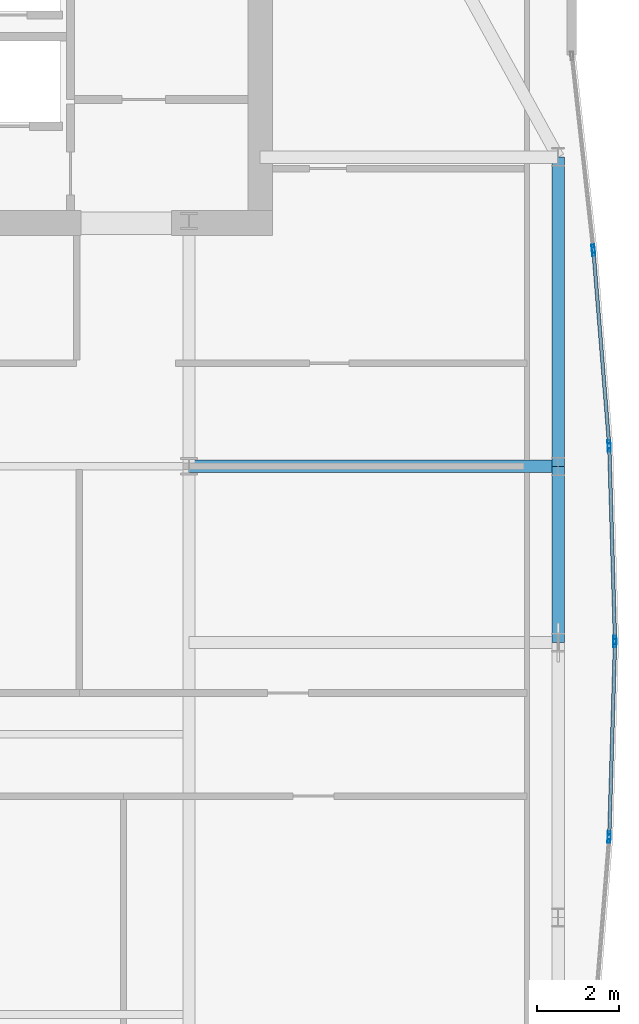
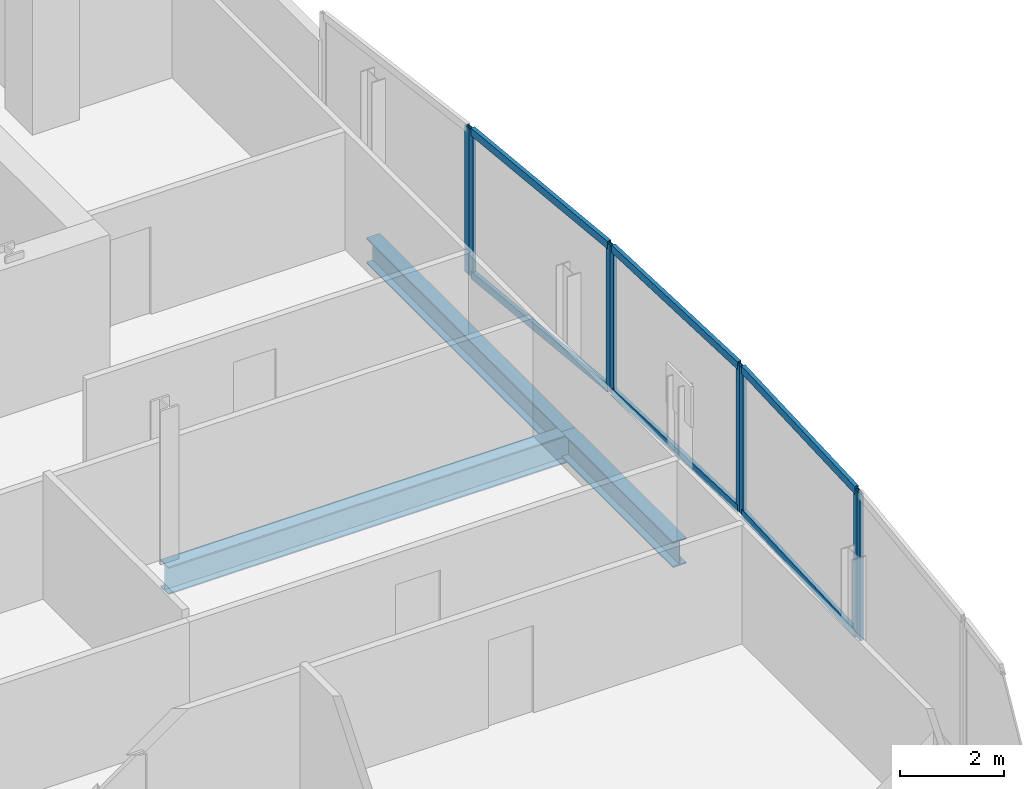
# One storey, part 18 of 29: 14 members, 3 beams, 5 elements without a shape of their own.
"""IFC4 building model written with IfcOpenShell, lengths in metres."""

from ifc_helpers import new_model, si_unit, direction, frame, origin, origin_2d, place, context, subcontext, project, spatial, hollow_rectangle, i_section, extrude, material, material_profile, profile_set, type_object, element, aggregate, save


model = new_model("IFC4")

# Units and contexts
model_context = context("Model", 3, precision=1e-05, world=origin(), true_north=direction((0.0, 1.0)))
body_context = subcontext(model_context, "Body", "Model", "MODEL_VIEW")
ifc_project = project(units=[si_unit("LENGTHUNIT", "METRE"), si_unit("AREAUNIT", "SQUARE_METRE"), si_unit("VOLUMEUNIT", "CUBIC_METRE"), si_unit("PLANEANGLEUNIT", "RADIAN"), si_unit("MASSUNIT", "GRAM", prefix="KILO")], contexts=[model_context])

# Site, building, storey
site_placement = place(None, origin())
site = spatial("IfcSite", under=ifc_project, at=site_placement, CompositionType="ELEMENT")
building_placement = place(site_placement, origin())
building = spatial("IfcBuilding", under=site, at=building_placement, Name="Khoronbel Lancet Exchange", CompositionType="ELEMENT")
storey_placement = place(building_placement, frame((0.0, 0.0, 246.199951171875)))
storey = spatial("IfcBuildingStorey", under=building, at=storey_placement, Name="L63", CompositionType="ELEMENT", Elevation=246.199951171875)

# Beams
ifc_material_1 = material(Name="Steel S355", Category="steel")
ifc_material_profile_1 = material_profile(ifc_material_1, i_section(OverallWidth=0.300048828125, OverallDepth=0.64990234375, WebThickness=0.01611328125, FlangeThickness=0.031005859375, at=origin_2d()), Name="HEB 650")
ifc_profile_set_1 = profile_set([ifc_material_profile_1], Name="Steel S355")
beam_type_1 = type_object("IfcBeamType", Name="BM-BG4", PredefinedType="BEAM", material=ifc_profile_set_1)
beam_1_placement = place(storey_placement, frame((54.675048828125, 35.699951171875, -0.48486328125), z_axis=(1.0, 0.0, 0.0), x_axis=(0.0, 1.0, 0.0)))
element("IfcBeam", 1, at=beam_1_placement, inside=storey, type_object=beam_type_1, Name="Level L63 east lens tie girder LG4E", PredefinedType="BEAM", context=body_context, shape_type="SweptSolid", body=[
    extrude(i_section(OverallWidth=0.300048828125, OverallDepth=0.64990234375, WebThickness=0.01611328125, FlangeThickness=0.031005859375, at=origin_2d()), origin(), (0.0, 0.0, 1.0), 8.954833984375),
])
ifc_material_profile_2 = material_profile(ifc_material_1, i_section(OverallWidth=0.300048828125, OverallDepth=0.60009765625, WebThickness=0.015380859375, FlangeThickness=0.030029296875, at=origin_2d()), Name="HEB 600")
ifc_profile_set_2 = profile_set([ifc_material_profile_2], Name="Steel S355")
beam_type_2 = type_object("IfcBeamType", Name="BM-BSP2", PredefinedType="SPANDREL", material=ifc_profile_set_2)
beam_2_placement = place(storey_placement, frame((63.6298828125, 31.425048828125, -0.4599609375), z_axis=(0.0, 1.0, 0.0), x_axis=(-1.0, 0.0, 0.0)))
element("IfcBeam", 2, at=beam_2_placement, inside=storey, type_object=beam_type_2, Name="Level L63 perimeter spandrel beam SP13", PredefinedType="SPANDREL", context=body_context, shape_type="SweptSolid", body=[
    extrude(i_section(OverallWidth=0.300048828125, OverallDepth=0.60009765625, WebThickness=0.015380859375, FlangeThickness=0.030029296875, at=origin_2d()), origin(), (0.0, 0.0, 1.0), 4.27490234375),
])
beam_3_placement = place(storey_placement, frame((63.6298828125, 35.699951171875, -0.4599609375), z_axis=(0.0, 1.0, 0.0), x_axis=(-1.0, 0.0, 0.0)))
element("IfcBeam", 3, at=beam_3_placement, inside=storey, type_object=beam_type_2, Name="Level L63 perimeter spandrel beam SP14", PredefinedType="SPANDREL", context=body_context, shape_type="SweptSolid", body=[
    extrude(i_section(OverallWidth=0.300048828125, OverallDepth=0.60009765625, WebThickness=0.015380859375, FlangeThickness=0.030029296875, at=origin_2d()), origin(), (0.0, 0.0, 1.0), 7.5),
])

# Curtain wall, member
ifc_material_2 = material(Name="Low-E Solar Control Insulating Glass", Category="glass")
curtain_wall_type = type_object("IfcCurtainWallType", Name="CW-4", PredefinedType="NOTDEFINED", material=ifc_material_2)
curtain_wall_1_placement = place(storey_placement, origin())
curtain_wall_1 = element("IfcCurtainWall", 4, at=curtain_wall_1_placement, inside=storey, type_object=curtain_wall_type, Name="Unitised curtain wall CW-L63-E17", PredefinedType="NOTDEFINED")
ifc_material_3 = material(Name="Bronze-Anodised Aluminium 6063-T6", Category="aluminium")
ifc_material_profile_3 = material_profile(ifc_material_3, hollow_rectangle(XDim=0.074951171875, YDim=0.199951171875, WallThickness=0.0048828125, at=origin_2d()), Name="ALU MULLION 75x200")
ifc_profile_set_3 = profile_set([ifc_material_profile_3], Name="Bronze-Anodised Aluminium 6063-T6")
member_type_1 = type_object("IfcMemberType", Name="MEM-CWM2", PredefinedType="MULLION", material=ifc_profile_set_3)
member_1_placement = place(storey_placement, frame((64.481201171875, 40.978759765625, 0.0), z_axis=(0.0, 0.0, 1.0), x_axis=(0.993947317123, 0.109857775256, 0.0)))
member_1 = element("IfcMember", 5, at=member_1_placement, type_object=member_type_1, Name="CW4 mullion 2", PredefinedType="MULLION", context=body_context, shape_type="SweptSolid", body=[
    extrude(hollow_rectangle(XDim=0.074951171875, YDim=0.199951171875, WallThickness=0.0048828125, at=origin_2d()), origin(), (0.0, 0.0, 1.0), 3.43994140625),
])
aggregate(curtain_wall_1, [member_1])

# Curtain wall, members
curtain_wall_2_placement = place(storey_placement, origin())
curtain_wall_2 = element("IfcCurtainWall", 6, at=curtain_wall_2_placement, inside=storey, type_object=curtain_wall_type, Name="Unitised curtain wall CW-L63-E18", PredefinedType="NOTDEFINED")
member_2_placement = place(storey_placement, frame((64.488525390625, 40.904052734375, 0.0), z_axis=(0.0, 0.0, 1.0), x_axis=(0.996743296731, 0.080639943095, 0.0)))
member_2 = element("IfcMember", 7, at=member_2_placement, type_object=member_type_1, Name="CW4 mullion 1", PredefinedType="MULLION", context=body_context, shape_type="SweptSolid", body=[
    extrude(hollow_rectangle(XDim=0.074951171875, YDim=0.199951171875, WallThickness=0.0048828125, at=origin_2d()), origin(), (0.0, 0.0, 1.0), 3.43994140625),
])
member_3_placement = place(storey_placement, frame((64.866455078125, 36.232421875, 0.0), z_axis=(0.0, 0.0, 1.0), x_axis=(0.996743296731, 0.080639943095, 0.0)))
member_3 = element("IfcMember", 8, at=member_3_placement, type_object=member_type_1, Name="CW4 mullion 2", PredefinedType="MULLION", context=body_context, shape_type="SweptSolid", body=[
    extrude(hollow_rectangle(XDim=0.074951171875, YDim=0.199951171875, WallThickness=0.0048828125, at=origin_2d()), origin(), (0.0, 0.0, 1.0), 3.43994140625),
])

curtain_wall_3_placement = place(storey_placement, origin())
curtain_wall_3 = element("IfcCurtainWall", 9, at=curtain_wall_3_placement, inside=storey, type_object=curtain_wall_type, Name="Unitised curtain wall CW-L63-E19", PredefinedType="NOTDEFINED")
member_4_placement = place(storey_placement, frame((64.87060546875, 36.157470703125, 0.0), z_axis=(0.0, 0.0, 1.0), x_axis=(0.999561285143, 0.029618191076, 0.0)))
member_4 = element("IfcMember", 10, at=member_4_placement, type_object=member_type_1, Name="CW4 mullion 1", PredefinedType="MULLION", context=body_context, shape_type="SweptSolid", body=[
    extrude(hollow_rectangle(XDim=0.074951171875, YDim=0.199951171875, WallThickness=0.0048828125, at=origin_2d()), origin(), (0.0, 0.0, 1.0), 3.43994140625),
])
member_5_placement = place(storey_placement, frame((65.0087890625, 31.487548828125, 0.0), z_axis=(0.0, 0.0, 1.0), x_axis=(0.999561285143, 0.029618191076, 0.0)))
member_5 = element("IfcMember", 11, at=member_5_placement, type_object=member_type_1, Name="CW4 mullion 2", PredefinedType="MULLION", context=body_context, shape_type="SweptSolid", body=[
    extrude(hollow_rectangle(XDim=0.074951171875, YDim=0.199951171875, WallThickness=0.0048828125, at=origin_2d()), origin(), (0.0, 0.0, 1.0), 3.43994140625),
])

curtain_wall_4_placement = place(storey_placement, origin())
curtain_wall_4 = element("IfcCurtainWall", 12, at=curtain_wall_4_placement, inside=storey, type_object=curtain_wall_type, Name="Unitised curtain wall CW-L63-E20", PredefinedType="NOTDEFINED")
member_6_placement = place(storey_placement, frame((65.0087890625, 31.41259765625, 0.0), z_axis=(0.0, 0.0, 1.0), x_axis=(0.999561285143, -0.029618191076, 0.0)))
member_6 = element("IfcMember", 13, at=member_6_placement, type_object=member_type_1, Name="CW4 mullion 1", PredefinedType="MULLION", context=body_context, shape_type="SweptSolid", body=[
    extrude(hollow_rectangle(XDim=0.074951171875, YDim=0.199951171875, WallThickness=0.0048828125, at=origin_2d()), origin(), (0.0, 0.0, 1.0), 3.43994140625),
])
member_7_placement = place(storey_placement, frame((64.87060546875, 26.742431640625, 0.0), z_axis=(0.0, 0.0, 1.0), x_axis=(0.999561285143, -0.029618191076, 0.0)))
member_7 = element("IfcMember", 14, at=member_7_placement, type_object=member_type_1, Name="CW4 mullion 2", PredefinedType="MULLION", context=body_context, shape_type="SweptSolid", body=[
    extrude(hollow_rectangle(XDim=0.074951171875, YDim=0.199951171875, WallThickness=0.0048828125, at=origin_2d()), origin(), (0.0, 0.0, 1.0), 3.43994140625),
])

# Curtain wall, member
curtain_wall_5_placement = place(storey_placement, origin())
curtain_wall_5 = element("IfcCurtainWall", 15, at=curtain_wall_5_placement, inside=storey, type_object=curtain_wall_type, Name="Unitised curtain wall CW-L63-E21", PredefinedType="NOTDEFINED")
member_8_placement = place(storey_placement, frame((64.866455078125, 26.667724609375, 0.0), z_axis=(0.0, 0.0, 1.0), x_axis=(0.996743296731, -0.080639943095, 0.0)))
member_8 = element("IfcMember", 16, at=member_8_placement, type_object=member_type_1, Name="CW4 mullion 1", PredefinedType="MULLION", context=body_context, shape_type="SweptSolid", body=[
    extrude(hollow_rectangle(XDim=0.074951171875, YDim=0.199951171875, WallThickness=0.0048828125, at=origin_2d()), origin(), (0.0, 0.0, 1.0), 3.43994140625),
])
aggregate(curtain_wall_5, [member_8])

# Member
ifc_material_profile_4 = material_profile(ifc_material_3, hollow_rectangle(XDim=0.0849609375, YDim=0.179931640625, WallThickness=0.0048828125, at=origin_2d()), Name="ALU TRANSOM 85x180")
ifc_profile_set_4 = profile_set([ifc_material_profile_4], Name="Bronze-Anodised Aluminium 6063-T6")
member_type_2 = type_object("IfcMemberType", Name="MEM-CWT1", PredefinedType="USERDEFINED", material=ifc_profile_set_4)
member_9_placement = place(storey_placement, frame((64.491455078125, 40.86669921875, 0.04248046875), z_axis=(0.080622560017, -0.996744702929, 0.0), x_axis=(0.996744702929, 0.080622560017, 0.0)))
member_9 = element("IfcMember", 17, at=member_9_placement, type_object=member_type_2, Name="CW4 transom 1.1", ObjectType="TRANSOM", PredefinedType="USERDEFINED", context=body_context, shape_type="SweptSolid", body=[
    extrude(hollow_rectangle(XDim=0.0849609375, YDim=0.179931640625, WallThickness=0.0048828125, at=origin_2d()), origin(), (0.0, 0.0, 1.0), 4.61181640625),
])

member_10_placement = place(storey_placement, frame((64.491455078125, 40.86669921875, 3.3974609375), z_axis=(0.080622560017, -0.996744702929, 0.0), x_axis=(0.996744702929, 0.080622560017, 0.0)))
member_10 = element("IfcMember", 18, at=member_10_placement, type_object=member_type_2, Name="CW4 transom 1.2", ObjectType="TRANSOM", PredefinedType="USERDEFINED", context=body_context, shape_type="SweptSolid", body=[
    extrude(hollow_rectangle(XDim=0.0849609375, YDim=0.179931640625, WallThickness=0.0048828125, at=origin_2d()), origin(), (0.0, 0.0, 1.0), 4.61181640625),
])

aggregate(curtain_wall_2, [member_2, member_3, member_9, member_10])

member_11_placement = place(storey_placement, frame((64.87158203125, 36.1201171875, 0.04248046875), z_axis=(0.029633139405, -0.999560842095, 0.0), x_axis=(0.999560842095, 0.029633139405, 0.0)))
member_11 = element("IfcMember", 19, at=member_11_placement, type_object=member_type_2, Name="CW4 transom 1.1", ObjectType="TRANSOM", PredefinedType="USERDEFINED", context=body_context, shape_type="SweptSolid", body=[
    extrude(hollow_rectangle(XDim=0.0849609375, YDim=0.179931640625, WallThickness=0.0048828125, at=origin_2d()), origin(), (0.0, 0.0, 1.0), 4.59716796875),
])

member_12_placement = place(storey_placement, frame((64.87158203125, 36.1201171875, 3.3974609375), z_axis=(0.029633139405, -0.999560842095, 0.0), x_axis=(0.999560842095, 0.029633139405, 0.0)))
member_12 = element("IfcMember", 20, at=member_12_placement, type_object=member_type_2, Name="CW4 transom 1.2", ObjectType="TRANSOM", PredefinedType="USERDEFINED", context=body_context, shape_type="SweptSolid", body=[
    extrude(hollow_rectangle(XDim=0.0849609375, YDim=0.179931640625, WallThickness=0.0048828125, at=origin_2d()), origin(), (0.0, 0.0, 1.0), 4.59716796875),
])

aggregate(curtain_wall_3, [member_4, member_5, member_11, member_12])

member_13_placement = place(storey_placement, frame((65.0078125, 31.375, 0.04248046875), z_axis=(-0.029634712495, -0.999560795457, 0.0), x_axis=(0.999560795457, -0.029634712495, 0.0)))
member_13 = element("IfcMember", 21, at=member_13_placement, type_object=member_type_2, Name="CW4 transom 1.1", ObjectType="TRANSOM", PredefinedType="USERDEFINED", context=body_context, shape_type="SweptSolid", body=[
    extrude(hollow_rectangle(XDim=0.0849609375, YDim=0.179931640625, WallThickness=0.0048828125, at=origin_2d()), origin(), (0.0, 0.0, 1.0), 4.596923828125),
])

member_14_placement = place(storey_placement, frame((65.0078125, 31.375, 3.3974609375), z_axis=(-0.029634712495, -0.999560795457, 0.0), x_axis=(0.999560795457, -0.029634712495, 0.0)))
member_14 = element("IfcMember", 22, at=member_14_placement, type_object=member_type_2, Name="CW4 transom 1.2", ObjectType="TRANSOM", PredefinedType="USERDEFINED", context=body_context, shape_type="SweptSolid", body=[
    extrude(hollow_rectangle(XDim=0.0849609375, YDim=0.179931640625, WallThickness=0.0048828125, at=origin_2d()), origin(), (0.0, 0.0, 1.0), 4.596923828125),
])

aggregate(curtain_wall_4, [member_6, member_7, member_13, member_14])

save(model, "model.ifc")
